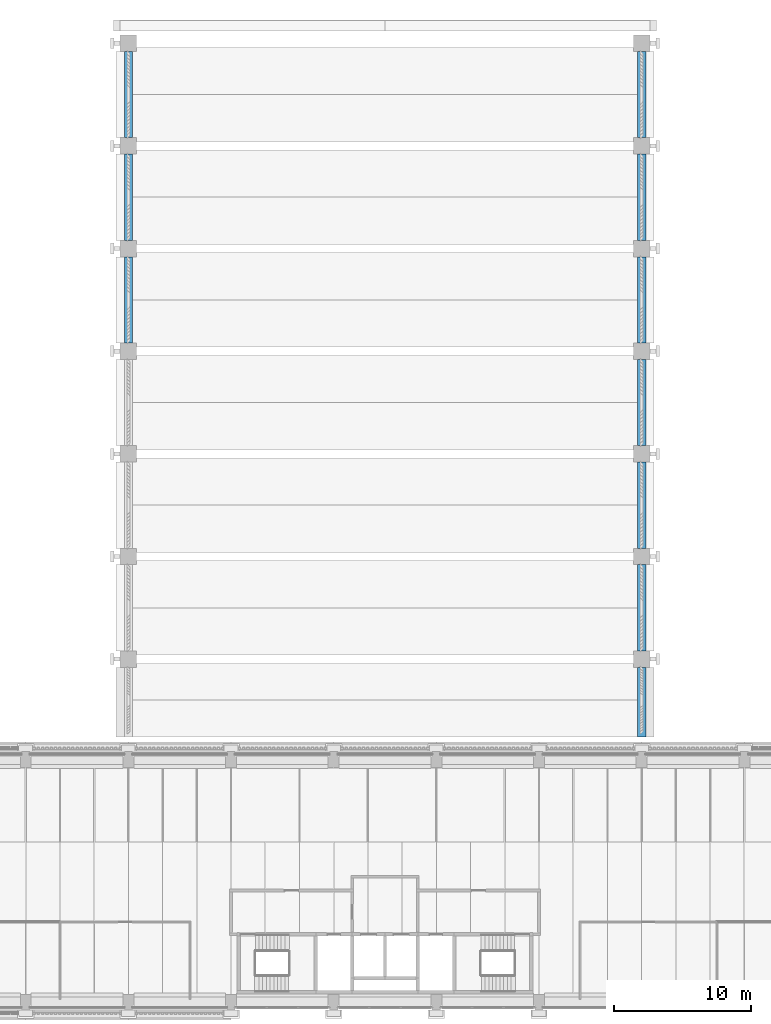
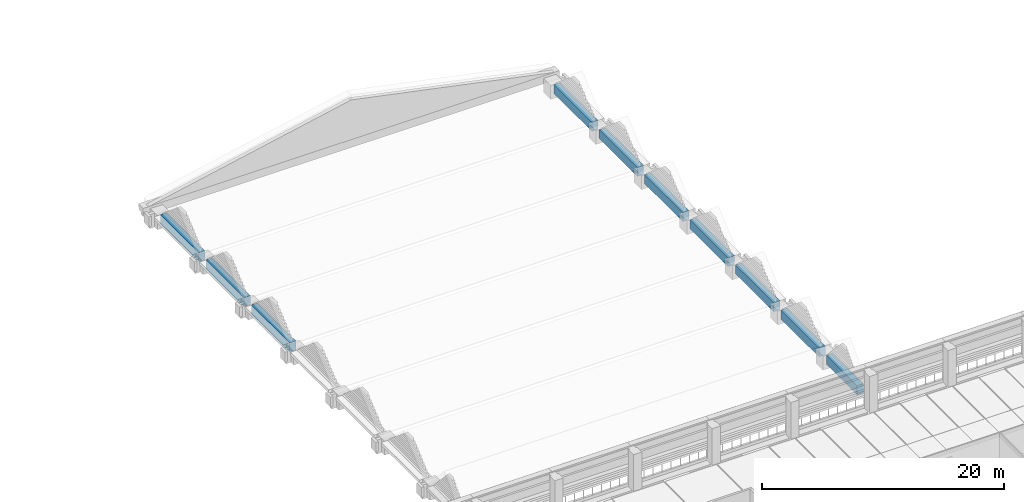
# One storey, part 14 of 71: 10 beams.
"""IFC4 building model written with IfcOpenShell, lengths in metres."""

from ifc_helpers import new_model, si_unit, direction, frame, origin, origin_2d, place, context, subcontext, project, spatial, rectangle, extrude, material, material_profile, profile_set, type_object, element, save


model = new_model("IFC4")

# Units and contexts
model_context = context("Model", 3, precision=1e-05, world=origin(), true_north=direction((0.0, 1.0)))
body_context = subcontext(model_context, "Body", "Model", "MODEL_VIEW")
ifc_project = project(units=[si_unit("LENGTHUNIT", "METRE"), si_unit("AREAUNIT", "SQUARE_METRE"), si_unit("VOLUMEUNIT", "CUBIC_METRE"), si_unit("PLANEANGLEUNIT", "RADIAN"), si_unit("MASSUNIT", "GRAM", prefix="KILO")], contexts=[model_context])

# Site, building, storey
site_placement = place(None, origin())
site = spatial("IfcSite", under=ifc_project, at=site_placement, CompositionType="ELEMENT")
building_placement = place(site_placement, origin())
building = spatial("IfcBuilding", under=site, at=building_placement, Name="Cour d'Honneur Mobility Palace", CompositionType="ELEMENT")
storey_placement = place(building_placement, frame((0.0, 0.0, 15.60009765625)))
storey = spatial("IfcBuildingStorey", under=building, at=storey_placement, Name="L04", CompositionType="ELEMENT", Elevation=15.60009765625)

# Beams
ifc_material = material(Name="Concrete C50", Category="concrete")
ifc_material_profile = material_profile(ifc_material, rectangle(XDim=0.60009765625, YDim=0.89990234375, at=origin_2d()), Name="Hall edge beam 600x900")
ifc_profile_set = profile_set([ifc_material_profile], Name="Concrete C50")
beam_type = type_object("IfcBeamType", Name="Hall edge beam 600x900", PredefinedType="BEAM", material=ifc_profile_set)
for number, where, z_axis, x_axis, name in (
    (1, (62.39990234375, 93.0, 0.949951171875), (0.0, 1.0, 0.0), (-1.0, 0.0, 0.0), "Hall edge beam EB-W5"),
    (2, (62.39990234375, 100.5, 0.949951171875), (0.0, 1.0, 0.0), (-1.0, 0.0, 0.0), "Hall edge beam EB-W6"),
    (3, (62.39990234375, 108.0, 0.949951171875), (0.0, 1.0, 0.0), (-1.0, 0.0, 0.0), "Hall edge beam EB-W7"),
):
    element("IfcBeam", number, at=place(storey_placement, frame(where, z_axis=z_axis, x_axis=x_axis)), inside=storey, type_object=beam_type, Name=name, PredefinedType="BEAM", context=body_context, shape_type="SweptSolid", body=[
        extrude(rectangle(XDim=0.60009765625, YDim=0.89990234375, at=origin_2d()), origin(), (0.0, 0.0, 1.0), 6.300048828125),
    ])
beam_placement = place(storey_placement, frame((99.89990234375, 64.199951171875, 0.949951171875), z_axis=(0.0, 1.0, 0.0), x_axis=(-1.0, 0.0, 0.0)))
element("IfcBeam", 4, at=beam_placement, inside=storey, type_object=beam_type, Name="Hall edge beam EB-E1", PredefinedType="BEAM", context=body_context, shape_type="SweptSolid", body=[
    extrude(rectangle(XDim=0.60009765625, YDim=0.89990234375, at=origin_2d()), origin(), (0.0, 0.0, 1.0), 5.10009765625),
])
for number, where, z_axis, x_axis, name in (
    (5, (99.89990234375, 70.5, 0.949951171875), (0.0, 1.0, 0.0), (-1.0, 0.0, 0.0), "Hall edge beam EB-E2"),
    (6, (99.89990234375, 78.0, 0.949951171875), (0.0, 1.0, 0.0), (-1.0, 0.0, 0.0), "Hall edge beam EB-E3"),
    (7, (99.89990234375, 85.5, 0.949951171875), (0.0, 1.0, 0.0), (-1.0, 0.0, 0.0), "Hall edge beam EB-E4"),
    (8, (99.89990234375, 93.0, 0.949951171875), (0.0, 1.0, 0.0), (-1.0, 0.0, 0.0), "Hall edge beam EB-E5"),
    (9, (99.89990234375, 100.5, 0.949951171875), (0.0, 1.0, 0.0), (-1.0, 0.0, 0.0), "Hall edge beam EB-E6"),
    (10, (99.89990234375, 108.0, 0.949951171875), (0.0, 1.0, 0.0), (-1.0, 0.0, 0.0), "Hall edge beam EB-E7"),
):
    element("IfcBeam", number, at=place(storey_placement, frame(where, z_axis=z_axis, x_axis=x_axis)), inside=storey, type_object=beam_type, Name=name, PredefinedType="BEAM", context=body_context, shape_type="SweptSolid", body=[
        extrude(rectangle(XDim=0.60009765625, YDim=0.89990234375, at=origin_2d()), origin(), (0.0, 0.0, 1.0), 6.300048828125),
    ])

save(model, "model.ifc")
